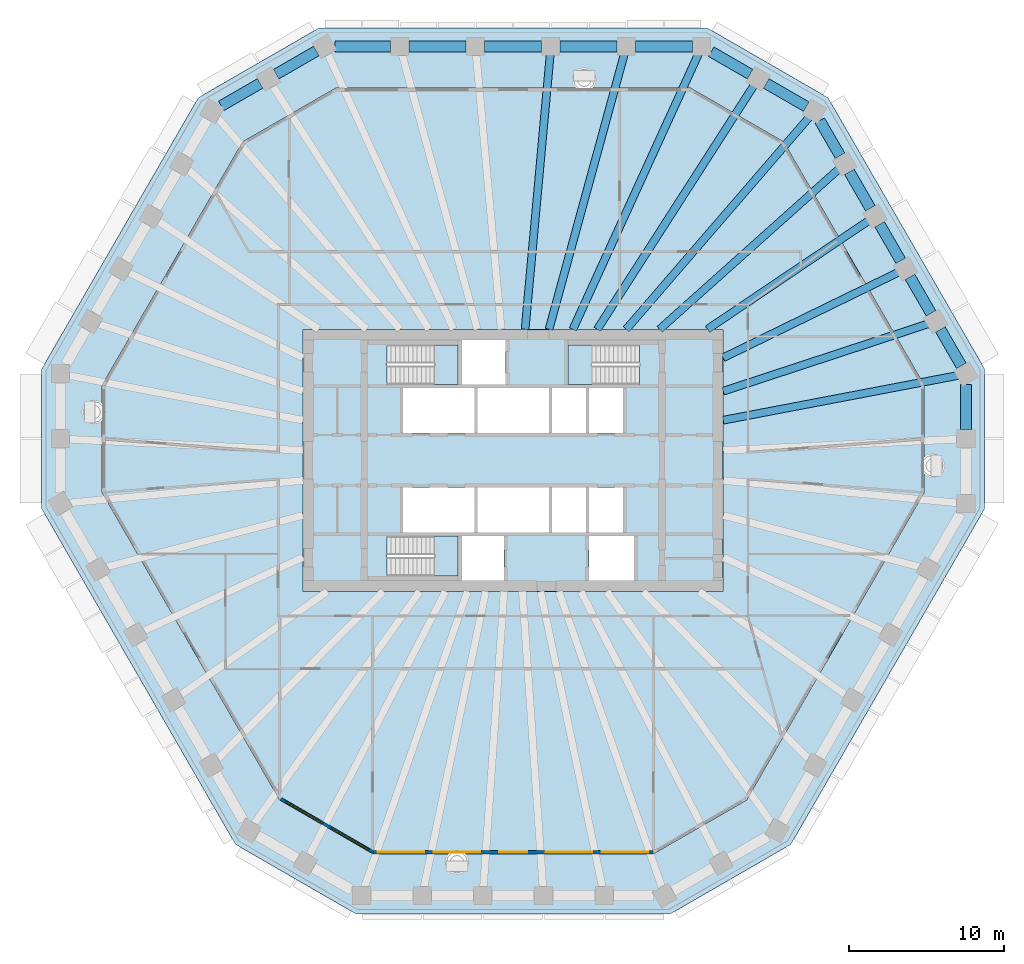
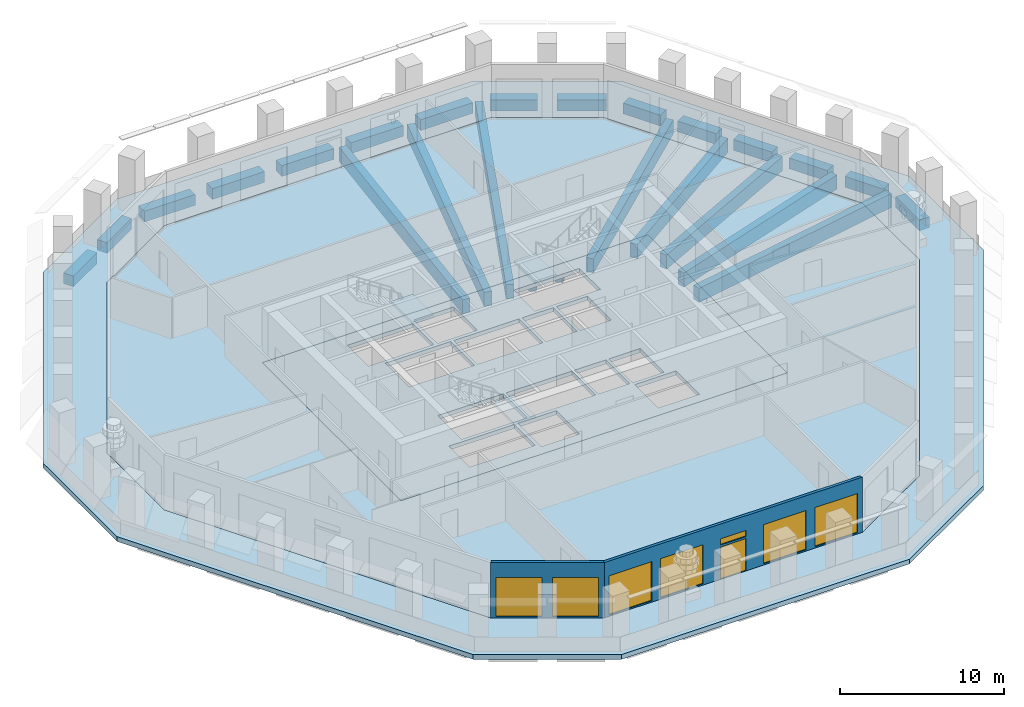
# One storey, part 2 of 12: 25 beams, 7 windows, 6 slabs, 2 walls, 1 door, 8 openings, 3 elements without a shape of their own.
"""IFC4 building model written with IfcOpenShell, lengths in metres."""

from ifc_helpers import new_model, si_unit, direction, frame, frame_2d, origin, origin_2d, place, context, subcontext, project, spatial, polyline, rectangle, outline, extrude, material, layer, layer_set, material_profile, profile_set, type_object, element, fill, aggregate, save


model = new_model("IFC4")

# Units and contexts
model_context = context("Model", 3, precision=1e-05, world=origin(), true_north=direction((0.0, 1.0)))
body_context = subcontext(model_context, "Body", "Model", "MODEL_VIEW")
ifc_project = project(units=[si_unit("LENGTHUNIT", "METRE"), si_unit("AREAUNIT", "SQUARE_METRE"), si_unit("VOLUMEUNIT", "CUBIC_METRE"), si_unit("PLANEANGLEUNIT", "RADIAN"), si_unit("MASSUNIT", "GRAM", prefix="KILO")], contexts=[model_context])

# Site, building, storey
site_placement = place(None, origin())
site = spatial("IfcSite", under=ifc_project, at=site_placement, CompositionType="ELEMENT")
building_placement = place(site_placement, origin())
building = spatial("IfcBuilding", under=site, at=building_placement, Name="Frailejon Research Tower", CompositionType="ELEMENT")
storey_placement = place(building_placement, frame((0.0, 0.0, 193.60009765625)))
storey = spatial("IfcBuildingStorey", under=building, at=storey_placement, Name="L42", CompositionType="ELEMENT", Elevation=193.60009765625)

# Beams
ifc_material_1 = material(Name="Concrete C60/75", Category="concrete")
ifc_material_profile_1 = material_profile(ifc_material_1, rectangle(XDim=0.5, YDim=1.050048828125, at=origin_2d()), Name="Girder 500x1050")
ifc_profile_set_1 = profile_set([ifc_material_profile_1], Name="Concrete C60/75")
beam_type_1 = type_object("IfcBeamType", Name="Girder 500x1050", PredefinedType="BEAM", material=ifc_profile_set_1)
beam_1_placement = place(storey_placement, frame((28.734375, 5.4794921875, -0.8251953125), z_axis=(-0.982299838323, -0.187315316062, 0.0), x_axis=(0.187315316062, -0.982299838323, 0.0)))
element("IfcBeam", 1, at=beam_1_placement, inside=storey, type_object=beam_type_1, Name="Girder 500x1050", PredefinedType="BEAM", context=body_context, shape_type="SweptSolid", body=[
    extrude(rectangle(XDim=0.5, YDim=1.050048828125, at=origin_2d()), origin(), (0.0, 0.0, 1.0), 15.4580078125),
])
beam_2_placement = place(storey_placement, frame((26.81494140625, 8.814208984375, -0.8251953125), z_axis=(-0.949991667334, -0.312275250374, 0.0), x_axis=(0.312275250374, -0.949991667334, 0.0)))
element("IfcBeam", 2, at=beam_2_placement, inside=storey, type_object=beam_type_1, Name="Girder 500x1050", PredefinedType="BEAM", context=body_context, shape_type="SweptSolid", body=[
    extrude(rectangle(XDim=0.5, YDim=1.050048828125, at=origin_2d()), origin(), (0.0, 0.0, 1.0), 13.963134765625),
])
beam_3_placement = place(storey_placement, frame((24.892822265625, 12.149169921875, -0.8251953125), z_axis=(-0.898680124008, -0.438604645111, 0.0), x_axis=(0.438604645111, -0.898680124008, 0.0)))
element("IfcBeam", 3, at=beam_3_placement, inside=storey, type_object=beam_type_1, Name="Girder 500x1050", PredefinedType="BEAM", context=body_context, shape_type="SweptSolid", body=[
    extrude(rectangle(XDim=0.5, YDim=1.050048828125, at=origin_2d()), origin(), (0.0, 0.0, 1.0), 12.62158203125),
])
beam_4_placement = place(storey_placement, frame((22.968017578125, 15.483154296875, -0.8251953125), z_axis=(-0.829191550788, -0.55896455353, 0.0), x_axis=(0.55896455353, -0.829191550788, 0.0)))
element("IfcBeam", 4, at=beam_4_placement, inside=storey, type_object=beam_type_1, Name="Girder 500x1050", PredefinedType="BEAM", context=body_context, shape_type="SweptSolid", body=[
    extrude(rectangle(XDim=0.5, YDim=1.050048828125, at=origin_2d()), origin(), (0.0, 0.0, 1.0), 12.58251953125),
])
beam_5_placement = place(storey_placement, frame((21.040771484375, 18.8154296875, -0.8251953125), z_axis=(-0.745423192946, -0.666591526663, 0.0), x_axis=(0.666591526663, -0.745423192946, 0.0)))
element("IfcBeam", 5, at=beam_5_placement, inside=storey, type_object=beam_type_1, Name="Girder 500x1050", PredefinedType="BEAM", context=body_context, shape_type="SweptSolid", body=[
    extrude(rectangle(XDim=0.5, YDim=1.050048828125, at=origin_2d()), origin(), (0.0, 0.0, 1.0), 15.550048828125),
])
beam_6_placement = place(storey_placement, frame((19.12841796875, 22.16357421875, -0.8251953125), z_axis=(-0.653362627521, -0.757045095723, 0.0), x_axis=(0.757045095723, -0.653362627521, 0.0)))
element("IfcBeam", 6, at=beam_6_placement, inside=storey, type_object=beam_type_1, Name="Girder 500x1050", PredefinedType="BEAM", context=body_context, shape_type="SweptSolid", body=[
    extrude(rectangle(XDim=0.5, YDim=1.050048828125, at=origin_2d()), origin(), (0.0, 0.0, 1.0), 18.11474609375),
])
beam_7_placement = place(storey_placement, frame((15.5595703125, 24.22705078125, -0.8251953125), z_axis=(-0.540385728464, -0.841417413935, 0.0), x_axis=(0.841417413935, -0.540385728464, 0.0)))
element("IfcBeam", 7, at=beam_7_placement, inside=storey, type_object=beam_type_1, Name="Girder 500x1050", PredefinedType="BEAM", context=body_context, shape_type="SweptSolid", body=[
    extrude(rectangle(XDim=0.5, YDim=1.050048828125, at=origin_2d()), origin(), (0.0, 0.0, 1.0), 18.750732421875),
])
beam_8_placement = place(storey_placement, frame((11.965087890625, 26.236572265625, -0.8251953125), z_axis=(-0.414936441672, -0.909850399446, 0.0), x_axis=(0.909850399446, -0.414936441672, 0.0)))
element("IfcBeam", 8, at=beam_8_placement, inside=storey, type_object=beam_type_1, Name="Girder 500x1050", PredefinedType="BEAM", context=body_context, shape_type="SweptSolid", body=[
    extrude(rectangle(XDim=0.5, YDim=1.050048828125, at=origin_2d()), origin(), (0.0, 0.0, 1.0), 19.549072265625),
])
beam_9_placement = place(storey_placement, frame((7.181396484375, 26.24462890625, -0.8251953125), z_axis=(-0.26392689173, -0.964542687402, 0.0), x_axis=(0.964542687402, -0.26392689173, 0.0)))
element("IfcBeam", 9, at=beam_9_placement, inside=storey, type_object=beam_type_1, Name="Girder 500x1050", PredefinedType="BEAM", context=body_context, shape_type="SweptSolid", body=[
    extrude(rectangle(XDim=0.5, YDim=1.050048828125, at=origin_2d()), origin(), (0.0, 0.0, 1.0), 18.44873046875),
])
beam_10_placement = place(storey_placement, frame((2.394287109375, 26.24951171875, -0.8251953125), z_axis=(-0.090835017193, -0.99586595466, 0.0), x_axis=(0.99586595466, -0.090835017193, 0.0)))
element("IfcBeam", 10, at=beam_10_placement, inside=storey, type_object=beam_type_1, Name="Girder 500x1050", PredefinedType="BEAM", context=body_context, shape_type="SweptSolid", body=[
    extrude(rectangle(XDim=0.5, YDim=1.050048828125, at=origin_2d()), origin(), (0.0, 0.0, 1.0), 17.87353515625),
])
ifc_material_2 = material(Name="Concrete C60/75", Category="concrete")
ifc_material_profile_2 = material_profile(ifc_material_2, rectangle(XDim=0.699951171875, YDim=0.800048828125, at=origin_2d()), Name="Spandrel 700x800")
ifc_profile_set_2 = profile_set([ifc_material_profile_2], Name="Concrete C60/75")
beam_type_2 = type_object("IfcBeamType", Name="Spandrel 700x800", PredefinedType="BEAM", material=ifc_profile_set_2)
beam_11_placement = place(storey_placement, frame((29.211181640625, 1.98291015625, -0.75), z_axis=(0.0, 1.0, 0.0), x_axis=(-1.0, 0.0, 0.0)))
element("IfcBeam", 11, at=beam_11_placement, inside=storey, type_object=beam_type_2, Name="Spandrel 700x800", PredefinedType="BEAM", context=body_context, shape_type="SweptSolid", body=[
    extrude(rectangle(XDim=0.699951171875, YDim=0.800048828125, at=origin_2d()), origin(), (0.0, 0.0, 1.0), 2.89453125),
])
for number, where, z_axis, x_axis, name in (
    (12, (28.9111328125, 6.08984375, -0.75), (-0.500010688608, 0.866019232626, 0.0), (-0.866019232626, -0.500010688608, 0.0), "Spandrel 700x800"),
    (13, (26.954833984375, 9.478271484375, -0.75), (-0.500010688608, 0.866019232626, 0.0), (-0.866019232626, -0.500010688608, 0.0), "Spandrel 700x800"),
    (14, (24.99853515625, 12.86669921875, -0.75), (-0.500010688608, 0.866019232626, 0.0), (-0.866019232626, -0.500010688608, 0.0), "Spandrel 700x800"),
    (15, (23.042236328125, 16.255126953125, -0.75), (-0.500010688608, 0.866019232626, 0.0), (-0.866019232626, -0.500010688608, 0.0), "Spandrel 700x800"),
):
    element("IfcBeam", number, at=place(storey_placement, frame(where, z_axis=z_axis, x_axis=x_axis)), inside=storey, type_object=beam_type_2, Name=name, PredefinedType="BEAM", context=body_context, shape_type="SweptSolid", body=[
        extrude(rectangle(XDim=0.699951171875, YDim=0.800048828125, at=origin_2d()), origin(), (0.0, 0.0, 1.0), 2.712890625),
    ])
beam_12_placement = place(storey_placement, frame((21.0859375, 19.6435546875, -0.75), z_axis=(-0.500047801172, 0.865997804006, 0.0), x_axis=(-0.865997804006, -0.500047801172, 0.0)))
element("IfcBeam", 16, at=beam_12_placement, inside=storey, type_object=beam_type_2, Name="Spandrel 700x800", PredefinedType="BEAM", context=body_context, shape_type="SweptSolid", body=[
    extrude(rectangle(XDim=0.699951171875, YDim=0.800048828125, at=origin_2d()), origin(), (0.0, 0.0, 1.0), 2.619873046875),
])
beam_13_placement = place(storey_placement, frame((18.909912109375, 22.8125, -0.75), z_axis=(-0.86603180189, 0.499988917992, 0.0), x_axis=(-0.499988917992, -0.86603180189, 0.0)))
element("IfcBeam", 17, at=beam_13_placement, inside=storey, type_object=beam_type_2, Name="Spandrel 700x800", PredefinedType="BEAM", context=body_context, shape_type="SweptSolid", body=[
    extrude(rectangle(XDim=0.699951171875, YDim=0.800048828125, at=origin_2d()), origin(), (0.0, 0.0, 1.0), 2.9873046875),
])
beam_14_placement = place(storey_placement, frame((15.283447265625, 24.90625, -0.75), z_axis=(-0.866033897268, 0.499985288567, 0.0), x_axis=(-0.499985288567, -0.866033897268, 0.0)))
element("IfcBeam", 18, at=beam_14_placement, inside=storey, type_object=beam_type_2, Name="Spandrel 700x800", PredefinedType="BEAM", context=body_context, shape_type="SweptSolid", body=[
    extrude(rectangle(XDim=0.699951171875, YDim=0.800048828125, at=origin_2d()), origin(), (0.0, 0.0, 1.0), 2.89453125),
])
for number, where, z_axis, x_axis, name in (
    (19, (11.576416015625, 26.699951171875, -0.75), (-1.0, 0.0, 0.0), (0.0, -1.0, 0.0), "Spandrel 700x800"),
    (20, (6.705810546875, 26.699951171875, -0.75), (-1.0, 0.0, 0.0), (0.0, -1.0, 0.0), "Spandrel 700x800"),
    (21, (1.835205078125, 26.699951171875, -0.75), (-1.0, 0.0, 0.0), (0.0, -1.0, 0.0), "Spandrel 700x800"),
    (22, (-3.035400390625, 26.699951171875, -0.75), (-1.0, 0.0, 0.0), (0.0, -1.0, 0.0), "Spandrel 700x800"),
):
    element("IfcBeam", number, at=place(storey_placement, frame(where, z_axis=z_axis, x_axis=x_axis)), inside=storey, type_object=beam_type_2, Name=name, PredefinedType="BEAM", context=body_context, shape_type="SweptSolid", body=[
        extrude(rectangle(XDim=0.699951171875, YDim=0.800048828125, at=origin_2d()), origin(), (0.0, 0.0, 1.0), 3.67041015625),
    ])
beam_15_placement = place(storey_placement, frame((-7.906005859375, 26.699951171875, -0.75), z_axis=(-1.0, 0.0, 0.0), x_axis=(0.0, -1.0, 0.0)))
element("IfcBeam", 23, at=beam_15_placement, inside=storey, type_object=beam_type_2, Name="Spandrel 700x800", PredefinedType="BEAM", context=body_context, shape_type="SweptSolid", body=[
    extrude(rectangle(XDim=0.699951171875, YDim=0.800048828125, at=origin_2d()), origin(), (0.0, 0.0, 1.0), 3.57763671875),
])
beam_16_placement = place(storey_placement, frame((-12.696044921875, 26.39990234375, -0.75), z_axis=(-0.866052229876, -0.499953532967, 0.0), x_axis=(0.499953532967, -0.866052229876, 0.0)))
element("IfcBeam", 24, at=beam_16_placement, inside=storey, type_object=beam_type_2, Name="Spandrel 700x800", PredefinedType="BEAM", context=body_context, shape_type="SweptSolid", body=[
    extrude(rectangle(XDim=0.699951171875, YDim=0.800048828125, at=origin_2d()), origin(), (0.0, 0.0, 1.0), 2.987548828125),
])
beam_17_placement = place(storey_placement, frame((-16.32275390625, 24.30615234375, -0.75), z_axis=(-0.866033897268, -0.499985288567, 0.0), x_axis=(0.499985288567, -0.866033897268, 0.0)))
element("IfcBeam", 25, at=beam_17_placement, inside=storey, type_object=beam_type_2, Name="Spandrel 700x800", PredefinedType="BEAM", context=body_context, shape_type="SweptSolid", body=[
    extrude(rectangle(XDim=0.699951171875, YDim=0.800048828125, at=origin_2d()), origin(), (0.0, 0.0, 1.0), 2.89453125),
])

# Slabs
ifc_material_3 = material(Name="Concrete C60/75", Category="concrete")
ifc_layer_1 = layer(ifc_material_3, 0.300048828125)
ifc_layer_set_1 = layer_set([ifc_layer_1], Name="Core floor slab 300 C60/75")
slab_type_1 = type_object("IfcSlabType", Name="Core floor slab 300 C60/75", PredefinedType="FLOOR", material=ifc_layer_set_1)
slab_1_placement = place(storey_placement, frame((0.0, 0.0, -0.300048828125)))
element("IfcSlab", 26, at=slab_1_placement, inside=storey, type_object=slab_type_1, Name="Core floor slab", PredefinedType="FLOOR", context=body_context, shape_type="SweptSolid", body=[
    extrude(outline(polyline([(13.550048828125, -8.449951171875), (13.550048828125, 8.449951171875), (-13.550048828125, 8.449951171875), (-13.550048828125, -8.449951171875), (13.550048828125, -8.449951171875)]), holes=[polyline([(-2.5, 1.75), (-2.5, 4.64990234375), (-7.10009765625, 4.64990234375), (-7.10009765625, 1.75), (-2.5, 1.75)]), polyline([(2.300048828125, 1.75), (2.300048828125, 4.64990234375), (-2.300048828125, 4.64990234375), (-2.300048828125, 1.75), (2.300048828125, 1.75)]), polyline([(4.699951171875, 1.75), (4.699951171875, 4.64990234375), (2.5, 4.64990234375), (2.5, 1.75), (4.699951171875, 1.75)]), polyline([(7.10009765625, 1.75), (7.10009765625, 4.64990234375), (4.89990234375, 4.64990234375), (4.89990234375, 1.75), (7.10009765625, 1.75)]), polyline([(-2.5, -4.64990234375), (-2.5, -1.75), (-7.10009765625, -1.75), (-7.10009765625, -4.64990234375), (-2.5, -4.64990234375)]), polyline([(2.300048828125, -4.64990234375), (2.300048828125, -1.75), (-2.300048828125, -1.75), (-2.300048828125, -4.64990234375), (2.300048828125, -4.64990234375)]), polyline([(4.699951171875, -4.64990234375), (4.699951171875, -1.75), (2.5, -1.75), (2.5, -4.64990234375), (4.699951171875, -4.64990234375)]), polyline([(7.10009765625, -4.64990234375), (7.10009765625, -1.75), (4.89990234375, -1.75), (4.89990234375, -4.64990234375), (7.10009765625, -4.64990234375)]), polyline([(-8.14697265625, 4.89990234375), (-3.550048828125, 4.89990234375), (-3.550048828125, 7.449951171875), (-8.14697265625, 7.449951171875), (-8.14697265625, 4.89990234375)]), polyline([(-8.14697265625, -7.449951171875), (-3.550048828125, -7.449951171875), (-3.550048828125, -4.89990234375), (-8.14697265625, -4.89990234375), (-8.14697265625, -7.449951171875)]), polyline([(8.14697265625, 7.449951171875), (3.550048828125, 7.449951171875), (3.550048828125, 4.89990234375), (8.14697265625, 4.89990234375), (8.14697265625, 7.449951171875)]), polyline([(-0.60009765625, -7.75), (-0.60009765625, -4.89990234375), (-3.300048828125, -4.89990234375), (-3.300048828125, -7.75), (-0.60009765625, -7.75)]), polyline([(7.800048828125, -7.75), (7.800048828125, -4.89990234375), (4.89990234375, -4.89990234375), (4.89990234375, -7.75), (7.800048828125, -7.75)]), polyline([(-0.5, 4.89990234375), (-0.5, 7.75), (-3.300048828125, 7.75), (-3.300048828125, 4.89990234375), (-0.5, 4.89990234375)])]), origin(), (0.0, 0.0, 1.0), 0.300048828125),
])
ifc_material_4 = material(Name="Concrete C40/50", Category="concrete")
ifc_layer_2 = layer(ifc_material_4, 0.35009765625)
ifc_layer_set_2 = layer_set([ifc_layer_2], Name="Loggia slab 350")
slab_type_2 = type_object("IfcSlabType", Name="Loggia slab 350", PredefinedType="USERDEFINED", material=ifc_layer_set_2)
slab_2_placement = place(storey_placement, frame((0.0, 0.0, -0.35009765625)))
element("IfcSlab", 27, at=slab_2_placement, inside=storey, type_object=slab_type_2, Name="Loggia slab L42", ObjectType="LOGGIA", PredefinedType="USERDEFINED", context=body_context, shape_type="SweptSolid", body=[
    extrude(outline(polyline([(17.9130859375, -24.773681640625), (10.10302734375, -29.28271484375), (-10.10302734375, -29.28271484375), (-17.9130859375, -24.773681640625), (-30.4111328125, -3.126220703125), (-30.4111328125, 5.891845703125), (-20.30810546875, 23.390869140625), (-12.498046875, 27.89990234375), (12.498046875, 27.89990234375), (20.30810546875, 23.390869140625), (30.4111328125, 5.891845703125), (30.4111328125, -3.126220703125), (17.9130859375, -24.773681640625)]), holes=[polyline([(26.510986328125, 4.846923828125), (17.453125, 20.535888671875), (11.453125, 24.0), (-11.453125, 24.0), (-17.453125, 20.535888671875), (-26.510986328125, 4.846923828125), (-26.510986328125, -2.081298828125), (-15.05810546875, -21.918701171875), (-9.05810546875, -25.3828125), (9.05810546875, -25.3828125), (15.05810546875, -21.918701171875), (26.510986328125, -2.081298828125), (26.510986328125, 4.846923828125)])]), origin(), (0.0, 0.0, 1.0), 0.35009765625),
])
ifc_material_5 = material(Name="Concrete C40/50", Category="concrete")
ifc_layer_3 = layer(ifc_material_5, 0.300048828125)
ifc_layer_set_3 = layer_set([ifc_layer_3], Name="Slab typical 300")
slab_type_3 = type_object("IfcSlabType", Name="Slab typical 300", PredefinedType="FLOOR", material=ifc_layer_set_3)
slab_3_placement = place(storey_placement, frame((0.0, 0.0, -0.300048828125)))
element("IfcSlab", 28, at=slab_3_placement, inside=storey, type_object=slab_type_3, Name="Floor slab L42", PredefinedType="FLOOR", context=body_context, shape_type="SweptSolid", body=[
    extrude(outline(polyline([(26.510986328125, -2.081298828125), (26.510986328125, 4.846923828125), (17.453125, 20.535888671875), (11.453125, 24.0), (-11.453125, 24.0), (-17.453125, 20.535888671875), (-26.510986328125, 4.846923828125), (-26.510986328125, -2.081298828125), (-15.05810546875, -21.918701171875), (-9.05810546875, -25.3828125), (9.05810546875, -25.3828125), (15.05810546875, -21.918701171875), (26.510986328125, -2.081298828125)]), holes=[polyline([(13.550048828125, -8.449951171875), (-13.550048828125, -8.449951171875), (-13.550048828125, 8.449951171875), (13.550048828125, 8.449951171875), (13.550048828125, -8.449951171875)])]), origin(), (0.0, 0.0, 1.0), 0.300048828125),
])

# Stair, slab
ifc_material_6 = material(Name="Concrete C50/60", Category="concrete")
stair_type = type_object("IfcStairType", Name="Exit stair 24 risers", PredefinedType="HALF_TURN_STAIR", material=ifc_material_6)
stair_1_placement = place(storey_placement, origin())
stair_1 = element("IfcStair", 29, at=stair_1_placement, inside=storey, type_object=stair_type, Name="L42 Exit stair ST1", PredefinedType="HALF_TURN_STAIR")
ifc_material_7 = material(Name="Concrete C50/60", Category="concrete")
ifc_layer_4 = layer(ifc_material_7, 0.199951171875)
ifc_layer_set_4 = layer_set([ifc_layer_4], Name="Stair landing slab 200")
slab_type_4 = type_object("IfcSlabType", Name="Stair landing slab 200", PredefinedType="LANDING", material=ifc_layer_set_4)
slab_4_placement = place(storey_placement, frame((0.0, 0.0, 2.0)))
slab_4 = element("IfcSlab", 30, at=slab_4_placement, type_object=slab_type_4, Name="ST1 landing 1", PredefinedType="LANDING", context=body_context, shape_type="SweptSolid", body=[
    extrude(outline(polyline([(-5.070068359375, 4.89990234375), (-3.550048828125, 4.89990234375), (-3.550048828125, 7.449951171875), (-5.070068359375, 7.449951171875), (-5.070068359375, 4.89990234375)])), origin(), (0.0, 0.0, 1.0), 0.199951171875),
])
aggregate(stair_1, [slab_4])

stair_2_placement = place(storey_placement, origin())
stair_2 = element("IfcStair", 31, at=stair_2_placement, inside=storey, type_object=stair_type, Name="L42 Exit stair ST2", PredefinedType="HALF_TURN_STAIR")
slab_5_placement = place(storey_placement, frame((0.0, 0.0, 2.0)))
slab_5 = element("IfcSlab", 32, at=slab_5_placement, type_object=slab_type_4, Name="ST2 landing 1", PredefinedType="LANDING", context=body_context, shape_type="SweptSolid", body=[
    extrude(outline(polyline([(-5.070068359375, -7.449951171875), (-3.550048828125, -7.449951171875), (-3.550048828125, -4.89990234375), (-5.070068359375, -4.89990234375), (-5.070068359375, -7.449951171875)])), origin(), (0.0, 0.0, 1.0), 0.199951171875),
])
aggregate(stair_2, [slab_5])

stair_3_placement = place(storey_placement, origin())
stair_3 = element("IfcStair", 33, at=stair_3_placement, inside=storey, type_object=stair_type, Name="L42 Exit stair ST3", PredefinedType="HALF_TURN_STAIR")
slab_6_placement = place(storey_placement, frame((0.0, 0.0, 2.0)))
slab_6 = element("IfcSlab", 34, at=slab_6_placement, type_object=slab_type_4, Name="ST3 landing 1", PredefinedType="LANDING", context=body_context, shape_type="SweptSolid", body=[
    extrude(outline(polyline([(5.070068359375, 7.449951171875), (3.550048828125, 7.449951171875), (3.550048828125, 4.89990234375), (5.070068359375, 4.89990234375), (5.070068359375, 7.449951171875)])), origin(), (0.0, 0.0, 1.0), 0.199951171875),
])
aggregate(stair_3, [slab_6])

# Wall, openings, windows
ifc_material_8 = material(Name="Concrete C40/50 precast window wall panel", Category="concrete")
ifc_layer_5 = layer(ifc_material_8, 0.199951171875)
ifc_layer_set_5 = layer_set([ifc_layer_5], Name="Window wall 200")
wall_type = type_object("IfcWallType", Name="Window wall 200", PredefinedType="SOLIDWALL", material=ifc_layer_set_5)
wall_1_placement = place(storey_placement, frame((-14.98486328125, -21.845458984375, 0.0), z_axis=(0.0, 0.0, 1.0), x_axis=(0.866029458321, -0.49999297727, 0.0)))
wall_1 = element("IfcWall", 35, at=wall_1_placement, inside=storey, type_object=wall_type, Name="Exterior wall L42", PredefinedType="SOLIDWALL", context=body_context, shape_type="SweptSolid", body=[
    extrude(outline(polyline([(-0.02685546875, -0.10009765625), (1.1279296875, -0.10009765625), (2.282470703125, -0.10009765625), (3.437255859375, -0.10009765625), (4.592041015625, -0.10009765625), (5.74658203125, -0.10009765625), (6.9013671875, -0.10009765625), (6.84765625, 0.10009765625), (5.7109375, 0.10009765625), (4.573974609375, 0.10009765625), (3.437255859375, 0.10009765625), (2.300537109375, 0.10009765625), (1.16357421875, 0.10009765625), (0.02685546875, 0.10009765625), (-0.02685546875, -0.10009765625)])), origin(), (0.0, 0.0, 1.0), 4.099853515625),
])
opening_1_placement = place(wall_1_placement, frame((0.318603515625, 0.0, 0.10009765625)))
opening_1 = element("IfcOpeningElement", 36, at=opening_1_placement, cuts=wall_1, Name="Opening W3", PredefinedType="OPENING", context=body_context, shape_type="SweptSolid", body=[
    extrude(rectangle(XDim=2.800048828125, YDim=2.89990234375, at=frame_2d((1.39990234375, 1.449951171875))), frame((0.0, 0.10986328125, 0.0), z_axis=(0.0, -1.0, 0.0), x_axis=(1.0, 0.0, 0.0)), (0.0, 0.0, 1.0), 0.219970703125),
])
opening_2_placement = place(wall_1_placement, frame((3.756103515625, 0.0, 0.10009765625)))
opening_2 = element("IfcOpeningElement", 37, at=opening_2_placement, cuts=wall_1, Name="Opening W3", PredefinedType="OPENING", context=body_context, shape_type="SweptSolid", body=[
    extrude(rectangle(XDim=2.800048828125, YDim=2.89990234375, at=frame_2d((1.39990234375, 1.449951171875))), frame((0.0, 0.10986328125, 0.0), z_axis=(0.0, -1.0, 0.0), x_axis=(1.0, 0.0, 0.0)), (0.0, 0.0, 1.0), 0.219970703125),
])
ifc_material_9 = material(Name="Aluminium framed double glazing", Category="aluminium")
window_type_1 = type_object("IfcWindowType", Name="Window 2800x2900", PartitioningType="SINGLE_PANEL", PredefinedType="WINDOW", material=ifc_material_9)
window_1_placement = place(opening_1_placement, origin())
window_1 = element("IfcWindow", 38, at=window_1_placement, inside=storey, type_object=window_type_1, Name="Window L42", OverallHeight=2.89990234375, OverallWidth=2.800048828125, PartitioningType="SINGLE_PANEL", PredefinedType="WINDOW", context=body_context, shape_type="SweptSolid", body=[
    extrude(rectangle(XDim=2.800048828125, YDim=2.89990234375, at=frame_2d((1.39990234375, 1.449951171875))), frame((0.0, 0.030029296875, 0.0), z_axis=(0.0, -1.0, 0.0), x_axis=(1.0, 0.0, 0.0)), (0.0, 0.0, 1.0), 0.06005859375),
])
fill(opening_1, window_1)
window_2_placement = place(opening_2_placement, origin())
window_2 = element("IfcWindow", 39, at=window_2_placement, inside=storey, type_object=window_type_1, Name="Window L42", OverallHeight=2.89990234375, OverallWidth=2.800048828125, PartitioningType="SINGLE_PANEL", PredefinedType="WINDOW", context=body_context, shape_type="SweptSolid", body=[
    extrude(rectangle(XDim=2.800048828125, YDim=2.89990234375, at=frame_2d((1.39990234375, 1.449951171875))), frame((0.0, 0.030029296875, 0.0), z_axis=(0.0, -1.0, 0.0), x_axis=(1.0, 0.0, 0.0)), (0.0, 0.0, 1.0), 0.06005859375),
])
fill(opening_2, window_2)

# Wall, openings, door, windows
wall_2_placement = place(storey_placement, frame((-9.03125, -25.28271484375, 0.0), z_axis=(0.0, 0.0, 1.0), x_axis=(1.0, 0.0, 0.0)))
wall_2 = element("IfcWall", 40, at=wall_2_placement, inside=storey, type_object=wall_type, Name="Exterior wall L42", PredefinedType="SOLIDWALL", context=body_context, shape_type="SweptSolid", body=[
    extrude(outline(polyline([(-0.02685546875, -0.10009765625), (0.9794921875, -0.10009765625), (1.986083984375, -0.10009765625), (2.992431640625, -0.10009765625), (3.9990234375, -0.10009765625), (5.00537109375, -0.10009765625), (6.011962890625, -0.10009765625), (7.018310546875, -0.10009765625), (8.02490234375, -0.10009765625), (9.03125, -0.10009765625), (10.03759765625, -0.10009765625), (11.044189453125, -0.10009765625), (12.050537109375, -0.10009765625), (13.05712890625, -0.10009765625), (14.0634765625, -0.10009765625), (15.070068359375, -0.10009765625), (16.076416015625, -0.10009765625), (17.0830078125, -0.10009765625), (18.08935546875, -0.10009765625), (18.03564453125, 0.10009765625), (17.03515625, 0.10009765625), (16.03466796875, 0.10009765625), (15.0341796875, 0.10009765625), (14.03369140625, 0.10009765625), (13.033203125, 0.10009765625), (12.03271484375, 0.10009765625), (11.0322265625, 0.10009765625), (10.03173828125, 0.10009765625), (9.03125, 0.10009765625), (8.03076171875, 0.10009765625), (7.0302734375, 0.10009765625), (6.02978515625, 0.10009765625), (5.029296875, 0.10009765625), (4.02880859375, 0.10009765625), (3.0283203125, 0.10009765625), (2.02783203125, 0.10009765625), (1.02734375, 0.10009765625), (0.02685546875, 0.10009765625), (-0.02685546875, -0.10009765625)])), origin(), (0.0, 0.0, 1.0), 4.099853515625),
])
opening_3_placement = place(wall_2_placement, frame((0.306396484375, 0.0, 0.10009765625)))
opening_3 = element("IfcOpeningElement", 41, at=opening_3_placement, cuts=wall_2, Name="Opening W4", PredefinedType="OPENING", context=body_context, shape_type="SweptSolid", body=[
    extrude(rectangle(XDim=3.0, YDim=2.89990234375, at=frame_2d((1.5, 1.449951171875))), frame((0.0, 0.10986328125, 0.0), z_axis=(0.0, -1.0, 0.0), x_axis=(1.0, 0.0, 0.0)), (0.0, 0.0, 1.0), 0.219970703125),
])
opening_4_placement = place(wall_2_placement, frame((3.918701171875, 0.0, 0.10009765625)))
opening_4 = element("IfcOpeningElement", 42, at=opening_4_placement, cuts=wall_2, Name="Opening W4", PredefinedType="OPENING", context=body_context, shape_type="SweptSolid", body=[
    extrude(rectangle(XDim=3.0, YDim=2.89990234375, at=frame_2d((1.5, 1.449951171875))), frame((0.0, 0.10986328125, 0.0), z_axis=(0.0, -1.0, 0.0), x_axis=(1.0, 0.0, 0.0)), (0.0, 0.0, 1.0), 0.219970703125),
])
opening_5_placement = place(wall_2_placement, frame((8.13134765625, 0.0, 0.0)))
opening_5 = element("IfcOpeningElement", 43, at=opening_5_placement, cuts=wall_2, Name="Opening LG42-5", PredefinedType="OPENING", context=body_context, shape_type="SweptSolid", body=[
    extrude(rectangle(XDim=1.800048828125, YDim=2.39990234375, at=frame_2d((0.89990234375, 1.199951171875))), frame((0.0, 0.10986328125, 0.0), z_axis=(0.0, -1.0, 0.0), x_axis=(1.0, 0.0, 0.0)), (0.0, 0.0, 1.0), 0.219970703125),
])
opening_6_placement = place(wall_2_placement, frame((8.13134765625, 0.0, 2.550048828125)))
opening_6 = element("IfcOpeningElement", 44, at=opening_6_placement, cuts=wall_2, Name="Opening W1", PredefinedType="OPENING", context=body_context, shape_type="SweptSolid", body=[
    extrude(rectangle(XDim=1.800048828125, YDim=0.449951171875, at=frame_2d((0.89990234375, 0.22509765625))), frame((0.0, 0.10986328125, 0.0), z_axis=(0.0, -1.0, 0.0), x_axis=(1.0, 0.0, 0.0)), (0.0, 0.0, 1.0), 0.219970703125),
])
opening_7_placement = place(wall_2_placement, frame((11.143798828125, 0.0, 0.10009765625)))
opening_7 = element("IfcOpeningElement", 45, at=opening_7_placement, cuts=wall_2, Name="Opening W4", PredefinedType="OPENING", context=body_context, shape_type="SweptSolid", body=[
    extrude(rectangle(XDim=3.0, YDim=2.89990234375, at=frame_2d((1.5, 1.449951171875))), frame((0.0, 0.10986328125, 0.0), z_axis=(0.0, -1.0, 0.0), x_axis=(1.0, 0.0, 0.0)), (0.0, 0.0, 1.0), 0.219970703125),
])
opening_8_placement = place(wall_2_placement, frame((14.75634765625, 0.0, 0.10009765625)))
opening_8 = element("IfcOpeningElement", 46, at=opening_8_placement, cuts=wall_2, Name="Opening W4", PredefinedType="OPENING", context=body_context, shape_type="SweptSolid", body=[
    extrude(rectangle(XDim=3.0, YDim=2.89990234375, at=frame_2d((1.5, 1.449951171875))), frame((0.0, 0.10986328125, 0.0), z_axis=(0.0, -1.0, 0.0), x_axis=(1.0, 0.0, 0.0)), (0.0, 0.0, 1.0), 0.219970703125),
])
ifc_material_10 = material(Name="Aluminium framed glazed door leaf", Category="aluminium")
door_type = type_object("IfcDoorType", Name="Loggia door 1800x2400", OperationType="DOUBLE_DOOR_SINGLE_SWING", PredefinedType="DOOR", material=ifc_material_10)
door_placement = place(opening_5_placement, origin())
door = element("IfcDoor", 47, at=door_placement, inside=storey, type_object=door_type, Name="Door LG42-5", OperationType="DOUBLE_DOOR_SINGLE_SWING", OverallHeight=2.39990234375, OverallWidth=1.800048828125, PredefinedType="DOOR", context=body_context, shape_type="SweptSolid", body=[
    extrude(rectangle(XDim=1.800048828125, YDim=2.39990234375, at=frame_2d((0.89990234375, 1.199951171875))), frame((0.0, 0.02490234375, 0.0), z_axis=(0.0, -1.0, 0.0), x_axis=(1.0, 0.0, 0.0)), (0.0, 0.0, 1.0), 0.050048828125),
])
fill(opening_5, door)
ifc_material_11 = material(Name="Aluminium framed double glazing", Category="aluminium")
window_type_2 = type_object("IfcWindowType", Name="Window 1800x450", PartitioningType="SINGLE_PANEL", PredefinedType="WINDOW", material=ifc_material_11)
window_3_placement = place(opening_6_placement, origin())
window_3 = element("IfcWindow", 48, at=window_3_placement, inside=storey, type_object=window_type_2, Name="Window L42", OverallHeight=0.449951171875, OverallWidth=1.800048828125, PartitioningType="SINGLE_PANEL", PredefinedType="WINDOW", context=body_context, shape_type="SweptSolid", body=[
    extrude(rectangle(XDim=1.800048828125, YDim=0.449951171875, at=frame_2d((0.89990234375, 0.22509765625))), frame((0.0, 0.030029296875, 0.0), z_axis=(0.0, -1.0, 0.0), x_axis=(1.0, 0.0, 0.0)), (0.0, 0.0, 1.0), 0.06005859375),
])
fill(opening_6, window_3)
ifc_material_12 = material(Name="Aluminium framed double glazing", Category="aluminium")
window_type_3 = type_object("IfcWindowType", Name="Window 3000x2900", PartitioningType="SINGLE_PANEL", PredefinedType="WINDOW", material=ifc_material_12)
window_4_placement = place(opening_3_placement, origin())
window_4 = element("IfcWindow", 49, at=window_4_placement, inside=storey, type_object=window_type_3, Name="Window L42", OverallHeight=2.89990234375, OverallWidth=3.0, PartitioningType="SINGLE_PANEL", PredefinedType="WINDOW", context=body_context, shape_type="SweptSolid", body=[
    extrude(rectangle(XDim=3.0, YDim=2.89990234375, at=frame_2d((1.5, 1.449951171875))), frame((0.0, 0.030029296875, 0.0), z_axis=(0.0, -1.0, 0.0), x_axis=(1.0, 0.0, 0.0)), (0.0, 0.0, 1.0), 0.06005859375),
])
fill(opening_3, window_4)
window_5_placement = place(opening_4_placement, origin())
window_5 = element("IfcWindow", 50, at=window_5_placement, inside=storey, type_object=window_type_3, Name="Window L42", OverallHeight=2.89990234375, OverallWidth=3.0, PartitioningType="SINGLE_PANEL", PredefinedType="WINDOW", context=body_context, shape_type="SweptSolid", body=[
    extrude(rectangle(XDim=3.0, YDim=2.89990234375, at=frame_2d((1.5, 1.449951171875))), frame((0.0, 0.030029296875, 0.0), z_axis=(0.0, -1.0, 0.0), x_axis=(1.0, 0.0, 0.0)), (0.0, 0.0, 1.0), 0.06005859375),
])
fill(opening_4, window_5)
window_6_placement = place(opening_7_placement, origin())
window_6 = element("IfcWindow", 51, at=window_6_placement, inside=storey, type_object=window_type_3, Name="Window L42", OverallHeight=2.89990234375, OverallWidth=3.0, PartitioningType="SINGLE_PANEL", PredefinedType="WINDOW", context=body_context, shape_type="SweptSolid", body=[
    extrude(rectangle(XDim=3.0, YDim=2.89990234375, at=frame_2d((1.5, 1.449951171875))), frame((0.0, 0.030029296875, 0.0), z_axis=(0.0, -1.0, 0.0), x_axis=(1.0, 0.0, 0.0)), (0.0, 0.0, 1.0), 0.06005859375),
])
fill(opening_7, window_6)
window_7_placement = place(opening_8_placement, origin())
window_7 = element("IfcWindow", 52, at=window_7_placement, inside=storey, type_object=window_type_3, Name="Window L42", OverallHeight=2.89990234375, OverallWidth=3.0, PartitioningType="SINGLE_PANEL", PredefinedType="WINDOW", context=body_context, shape_type="SweptSolid", body=[
    extrude(rectangle(XDim=3.0, YDim=2.89990234375, at=frame_2d((1.5, 1.449951171875))), frame((0.0, 0.030029296875, 0.0), z_axis=(0.0, -1.0, 0.0), x_axis=(1.0, 0.0, 0.0)), (0.0, 0.0, 1.0), 0.06005859375),
])
fill(opening_8, window_7)

save(model, "model.ifc")
